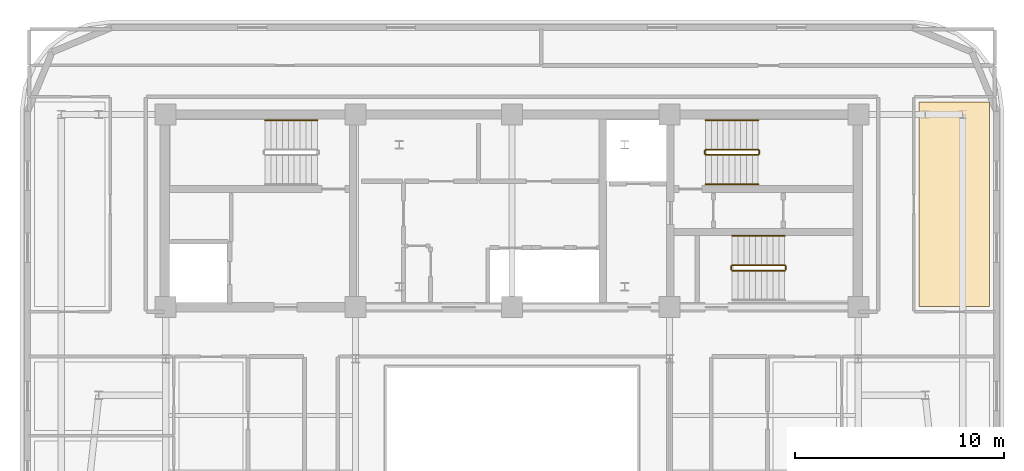
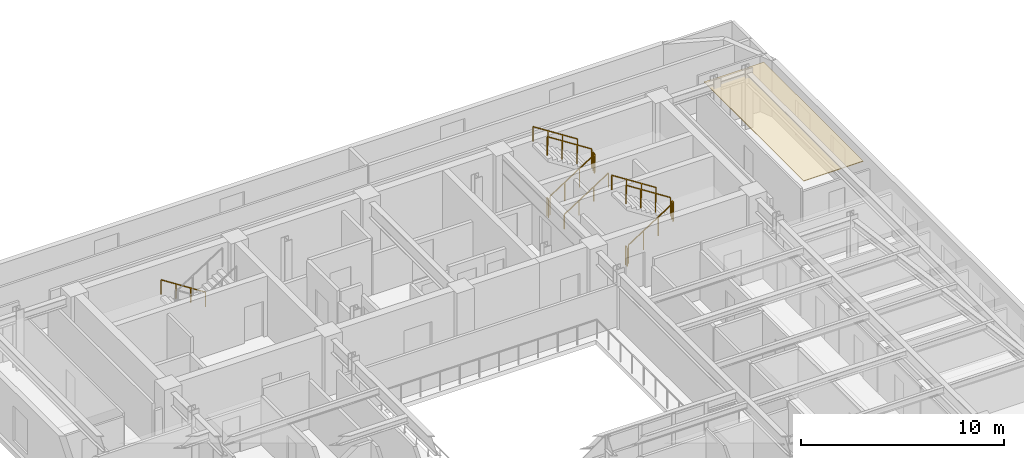
# One storey, part 14 of 14: 12 railings, 1 covering.
"""IFC4 building model written with IfcOpenShell, lengths in metres."""

from ifc_helpers import new_model, si_unit, direction, frame, origin, origin_2d, place, context, subcontext, project, spatial, polyline, rectangle, outline, extrude, material, layer, layer_set, type_object, element, save


model = new_model("IFC4")

# Units and contexts
model_context = context("Model", 3, precision=1e-05, world=origin(), true_north=direction((0.0, 1.0)))
body_context = subcontext(model_context, "Body", "Model", "MODEL_VIEW")
ifc_project = project(units=[si_unit("LENGTHUNIT", "METRE"), si_unit("AREAUNIT", "SQUARE_METRE"), si_unit("VOLUMEUNIT", "CUBIC_METRE"), si_unit("PLANEANGLEUNIT", "RADIAN"), si_unit("MASSUNIT", "GRAM", prefix="KILO")], contexts=[model_context])

# Site, building, storey
site_placement = place(None, origin())
site = spatial("IfcSite", under=ifc_project, at=site_placement, CompositionType="ELEMENT")
building_placement = place(site_placement, origin())
building = spatial("IfcBuilding", under=site, at=building_placement, Name="Zarnavel Station Tower", CompositionType="ELEMENT")
storey_placement = place(building_placement, frame((0.0, 0.0, 229.199951171875)))
storey = spatial("IfcBuildingStorey", under=building, at=storey_placement, Name="L62", CompositionType="ELEMENT", Elevation=229.199951171875)

# Covering
ifc_material_1 = material(Name="Perforated Gypsum and Mineral-Wool Acoustic Ceiling", Category="concrete")
ifc_layer = layer(ifc_material_1, 0.0400390625)
ifc_layer_set = layer_set([ifc_layer], Name="COV_CEIL_ACOUSTIC")
covering_type = type_object("IfcCoveringType", Name="COV_CEIL_ACOUSTIC", PredefinedType="CEILING", material=ifc_layer_set)
covering_placement = place(storey_placement, frame((0.0, 0.0, 3.02001953125)))
element("IfcCovering", 1, at=covering_placement, inside=storey, type_object=covering_type, Name="L62 FNE Acoustic Ceiling", PredefinedType="CEILING", context=body_context, shape_type="SweptSolid", body=[
    extrude(outline(polyline([(48.300048828125, 27.85009765625), (51.68994140625, 27.85009765625), (51.68994140625, 37.64990234375), (48.300048828125, 37.64990234375), (48.300048828125, 27.85009765625)])), origin(), (0.0, 0.0, 1.0), 0.0400390625),
])

# Railings
ifc_material_2 = material(Name="Painted Steel S355J2 Balustrade", Category="steel")
railing_type_1 = type_object("IfcRailingType", Name="GR_INT_1150", PredefinedType="GUARDRAIL", material=ifc_material_2)
railing_1_placement = place(storey_placement, frame((38.080078125, 35.110107421875, 0.179931640625)))
element("IfcRailing", 2, at=railing_1_placement, inside=storey, type_object=railing_type_1, Name="L62 ST2 stair guard 1", PredefinedType="GUARDRAIL", context=body_context, shape_type="SweptSolid", body=[
    extrude(rectangle(XDim=0.048095703125, YDim=0.048095703125, at=origin_2d()), frame((0.001708984375, 0.0, 1.126953125), z_axis=(0.841162588446, 0.0, 0.540782303519), x_axis=(0.0, 1.0, 0.0)), (0.0, 0.0, 1.0), 2.991943359375),
    extrude(rectangle(XDim=0.0419921875, YDim=0.0419921875, at=origin_2d()), origin(), (0.0, 0.0, 1.0), 1.101806640625),
    extrude(rectangle(XDim=0.0419921875, YDim=0.0419921875, at=origin_2d()), frame((0.840087890625, 0.0, 0.5400390625)), (0.0, 0.0, 1.0), 1.101806640625),
    extrude(rectangle(XDim=0.0419921875, YDim=0.0419921875, at=origin_2d()), frame((1.679931640625, 0.0, 1.080078125)), (0.0, 0.0, 1.0), 1.101806640625),
    extrude(rectangle(XDim=0.0419921875, YDim=0.0419921875, at=origin_2d()), frame((2.52001953125, 0.0, 1.6201171875)), (0.0, 0.0, 1.0), 1.101806640625),
])
railing_2_placement = place(storey_placement, frame((40.64990234375, 35.159912109375, 1.800048828125)))
element("IfcRailing", 3, at=railing_2_placement, inside=storey, type_object=railing_type_1, Name="L62 ST2 stair guard 2", PredefinedType="GUARDRAIL", context=body_context, shape_type="SweptSolid", body=[
    extrude(rectangle(XDim=0.048095703125, YDim=0.048095703125, at=origin_2d()), frame((0.0, 0.001953125, 1.1259765625), z_axis=(0.0, 1.0, 0.0), x_axis=(-1.0, 0.0, 0.0)), (0.0, 0.0, 1.0), 0.15625),
    extrude(rectangle(XDim=0.0419921875, YDim=0.0419921875, at=origin_2d()), origin(), (0.0, 0.0, 1.0), 1.101806640625),
    extrude(rectangle(XDim=0.0419921875, YDim=0.0419921875, at=origin_2d()), frame((0.0, 0.16015625, 0.0)), (0.0, 0.0, 1.0), 1.101806640625),
])
railing_3_placement = place(storey_placement, frame((40.60009765625, 35.3701171875, 1.97998046875)))
element("IfcRailing", 4, at=railing_3_placement, inside=storey, type_object=railing_type_1, Name="L62 ST2 stair guard 3", PredefinedType="GUARDRAIL", context=body_context, shape_type="SweptSolid", body=[
    extrude(rectangle(XDim=0.048095703125, YDim=0.048095703125, at=origin_2d()), frame((-0.001708984375, 0.0, 1.126953125), z_axis=(-0.841162588446, 0.0, 0.540782303519), x_axis=(0.0, -1.0, 0.0)), (0.0, 0.0, 1.0), 2.991943359375),
    extrude(rectangle(XDim=0.0419921875, YDim=0.0419921875, at=origin_2d()), origin(), (0.0, 0.0, 1.0), 1.101806640625),
    extrude(rectangle(XDim=0.0419921875, YDim=0.0419921875, at=origin_2d()), frame((-0.840087890625, 0.0, 0.5400390625)), (0.0, 0.0, 1.0), 1.101806640625),
    extrude(rectangle(XDim=0.0419921875, YDim=0.0419921875, at=origin_2d()), frame((-1.679931640625, 0.0, 1.080078125)), (0.0, 0.0, 1.0), 1.101806640625),
    extrude(rectangle(XDim=0.0419921875, YDim=0.0419921875, at=origin_2d()), frame((-2.52001953125, 0.0, 1.6201171875)), (0.0, 0.0, 1.0), 1.101806640625),
])
railing_4_placement = place(storey_placement, frame((38.030029296875, 35.159912109375, 0.0)))
element("IfcRailing", 5, at=railing_4_placement, inside=storey, type_object=railing_type_1, Name="L62 ST2 stair guard 4", PredefinedType="GUARDRAIL", context=body_context, shape_type="SweptSolid", body=[
    extrude(rectangle(XDim=0.048095703125, YDim=0.048095703125, at=origin_2d()), frame((0.0, 0.001953125, 1.1259765625), z_axis=(0.0, 1.0, 0.0), x_axis=(-1.0, 0.0, 0.0)), (0.0, 0.0, 1.0), 0.15625),
    extrude(rectangle(XDim=0.0419921875, YDim=0.0419921875, at=origin_2d()), origin(), (0.0, 0.0, 1.0), 1.101806640625),
    extrude(rectangle(XDim=0.0419921875, YDim=0.0419921875, at=origin_2d()), frame((0.0, 0.16015625, 0.0)), (0.0, 0.0, 1.0), 1.101806640625),
])
railing_5_placement = place(storey_placement, frame((39.35009765625, 29.570068359375, 0.179931640625)))
element("IfcRailing", 6, at=railing_5_placement, inside=storey, type_object=railing_type_1, Name="L62 ST3 stair guard 1", PredefinedType="GUARDRAIL", context=body_context, shape_type="SweptSolid", body=[
    extrude(rectangle(XDim=0.048095703125, YDim=0.048095703125, at=origin_2d()), frame((0.001708984375, 0.0, 1.126953125), z_axis=(0.841162588446, 0.0, 0.540782303519), x_axis=(0.0, 1.0, 0.0)), (0.0, 0.0, 1.0), 2.991943359375),
    extrude(rectangle(XDim=0.0419921875, YDim=0.0419921875, at=origin_2d()), origin(), (0.0, 0.0, 1.0), 1.101806640625),
    extrude(rectangle(XDim=0.0419921875, YDim=0.0419921875, at=origin_2d()), frame((0.840087890625, 0.0, 0.5400390625)), (0.0, 0.0, 1.0), 1.101806640625),
    extrude(rectangle(XDim=0.0419921875, YDim=0.0419921875, at=origin_2d()), frame((1.679931640625, 0.0, 1.080078125)), (0.0, 0.0, 1.0), 1.101806640625),
    extrude(rectangle(XDim=0.0419921875, YDim=0.0419921875, at=origin_2d()), frame((2.52001953125, 0.0, 1.6201171875)), (0.0, 0.0, 1.0), 1.101806640625),
])
railing_6_placement = place(storey_placement, frame((41.919921875, 29.6201171875, 1.800048828125)))
element("IfcRailing", 7, at=railing_6_placement, inside=storey, type_object=railing_type_1, Name="L62 ST3 stair guard 2", PredefinedType="GUARDRAIL", context=body_context, shape_type="SweptSolid", body=[
    extrude(rectangle(XDim=0.048095703125, YDim=0.048095703125, at=origin_2d()), frame((0.0, 0.001953125, 1.1259765625), z_axis=(0.0, 1.0, 0.0), x_axis=(-1.0, 0.0, 0.0)), (0.0, 0.0, 1.0), 0.156005859375),
    extrude(rectangle(XDim=0.0419921875, YDim=0.0419921875, at=origin_2d()), origin(), (0.0, 0.0, 1.0), 1.101806640625),
    extrude(rectangle(XDim=0.0419921875, YDim=0.0419921875, at=origin_2d()), frame((0.0, 0.159912109375, 0.0)), (0.0, 0.0, 1.0), 1.101806640625),
])
railing_7_placement = place(storey_placement, frame((41.8701171875, 29.830078125, 1.97998046875)))
element("IfcRailing", 8, at=railing_7_placement, inside=storey, type_object=railing_type_1, Name="L62 ST3 stair guard 3", PredefinedType="GUARDRAIL", context=body_context, shape_type="SweptSolid", body=[
    extrude(rectangle(XDim=0.048095703125, YDim=0.048095703125, at=origin_2d()), frame((-0.001708984375, 0.0, 1.126953125), z_axis=(-0.841162588446, 0.0, 0.540782303519), x_axis=(0.0, -1.0, 0.0)), (0.0, 0.0, 1.0), 2.991943359375),
    extrude(rectangle(XDim=0.0419921875, YDim=0.0419921875, at=origin_2d()), origin(), (0.0, 0.0, 1.0), 1.101806640625),
    extrude(rectangle(XDim=0.0419921875, YDim=0.0419921875, at=origin_2d()), frame((-0.840087890625, 0.0, 0.5400390625)), (0.0, 0.0, 1.0), 1.101806640625),
    extrude(rectangle(XDim=0.0419921875, YDim=0.0419921875, at=origin_2d()), frame((-1.679931640625, 0.0, 1.080078125)), (0.0, 0.0, 1.0), 1.101806640625),
    extrude(rectangle(XDim=0.0419921875, YDim=0.0419921875, at=origin_2d()), frame((-2.52001953125, 0.0, 1.6201171875)), (0.0, 0.0, 1.0), 1.101806640625),
])
railing_8_placement = place(storey_placement, frame((39.300048828125, 29.6201171875, 0.0)))
element("IfcRailing", 9, at=railing_8_placement, inside=storey, type_object=railing_type_1, Name="L62 ST3 stair guard 4", PredefinedType="GUARDRAIL", context=body_context, shape_type="SweptSolid", body=[
    extrude(rectangle(XDim=0.048095703125, YDim=0.048095703125, at=origin_2d()), frame((0.0, 0.001953125, 1.1259765625), z_axis=(0.0, 1.0, 0.0), x_axis=(-1.0, 0.0, 0.0)), (0.0, 0.0, 1.0), 0.156005859375),
    extrude(rectangle(XDim=0.0419921875, YDim=0.0419921875, at=origin_2d()), origin(), (0.0, 0.0, 1.0), 1.101806640625),
    extrude(rectangle(XDim=0.0419921875, YDim=0.0419921875, at=origin_2d()), frame((0.0, 0.159912109375, 0.0)), (0.0, 0.0, 1.0), 1.101806640625),
])
ifc_material_3 = material(Name="Brushed Stainless Steel S355J2 Handrail", Category="steel")
railing_type_2 = type_object("IfcRailingType", Name="HR_STAIR_900", PredefinedType="HANDRAIL", material=ifc_material_3)
railing_9_placement = place(storey_placement, frame((19.47998046875, 36.77001953125, 0.179931640625)))
element("IfcRailing", 10, at=railing_9_placement, inside=storey, type_object=railing_type_2, Name="L62 ST1 stair handrail 1", PredefinedType="HANDRAIL", context=body_context, shape_type="SweptSolid", body=[
    extrude(rectangle(XDim=0.048095703125, YDim=0.048095703125, at=origin_2d()), frame((-0.001708984375, 0.0, 0.876953125), z_axis=(-0.841162588446, 0.0, 0.540782303519), x_axis=(0.0, -1.0, 0.0)), (0.0, 0.0, 1.0), 2.991943359375),
    extrude(rectangle(XDim=0.0419921875, YDim=0.0419921875, at=origin_2d()), origin(), (0.0, 0.0, 1.0), 0.851806640625),
    extrude(rectangle(XDim=0.0419921875, YDim=0.0419921875, at=origin_2d()), frame((-0.840087890625, 0.0, 0.5400390625)), (0.0, 0.0, 1.0), 0.851806640625),
    extrude(rectangle(XDim=0.0419921875, YDim=0.0419921875, at=origin_2d()), frame((-1.679931640625, 0.0, 1.080078125)), (0.0, 0.0, 1.0), 0.851806640625),
    extrude(rectangle(XDim=0.0419921875, YDim=0.0419921875, at=origin_2d()), frame((-2.52001953125, 0.0, 1.6201171875)), (0.0, 0.0, 1.0), 0.851806640625),
])
railing_10_placement = place(storey_placement, frame((38.080078125, 33.7099609375, 0.179931640625)))
element("IfcRailing", 11, at=railing_10_placement, inside=storey, type_object=railing_type_2, Name="L62 ST2 stair handrail 1", PredefinedType="HANDRAIL", context=body_context, shape_type="SweptSolid", body=[
    extrude(rectangle(XDim=0.048095703125, YDim=0.048095703125, at=origin_2d()), frame((0.001708984375, 0.0, 0.876953125), z_axis=(0.841162588446, 0.0, 0.540782303519), x_axis=(0.0, 1.0, 0.0)), (0.0, 0.0, 1.0), 2.991943359375),
    extrude(rectangle(XDim=0.0419921875, YDim=0.0419921875, at=origin_2d()), origin(), (0.0, 0.0, 1.0), 0.851806640625),
    extrude(rectangle(XDim=0.0419921875, YDim=0.0419921875, at=origin_2d()), frame((0.840087890625, 0.0, 0.5400390625)), (0.0, 0.0, 1.0), 0.851806640625),
    extrude(rectangle(XDim=0.0419921875, YDim=0.0419921875, at=origin_2d()), frame((1.679931640625, 0.0, 1.080078125)), (0.0, 0.0, 1.0), 0.851806640625),
    extrude(rectangle(XDim=0.0419921875, YDim=0.0419921875, at=origin_2d()), frame((2.52001953125, 0.0, 1.6201171875)), (0.0, 0.0, 1.0), 0.851806640625),
])
for number, where, name in (
    (12, (40.60009765625, 36.77001953125, 1.97998046875), "L62 ST2 stair handrail 2"),
    (13, (41.8701171875, 31.22998046875, 1.97998046875), "L62 ST3 stair handrail 2"),
):
    element("IfcRailing", number, at=place(storey_placement, frame(where)), inside=storey, type_object=railing_type_2, Name=name, PredefinedType="HANDRAIL", context=body_context, shape_type="SweptSolid", body=[
        extrude(rectangle(XDim=0.048095703125, YDim=0.048095703125, at=origin_2d()), frame((-0.001708984375, 0.0, 0.876953125), z_axis=(-0.841162588446, 0.0, 0.540782303519), x_axis=(0.0, -1.0, 0.0)), (0.0, 0.0, 1.0), 2.991943359375),
        extrude(rectangle(XDim=0.0419921875, YDim=0.0419921875, at=origin_2d()), origin(), (0.0, 0.0, 1.0), 0.851806640625),
        extrude(rectangle(XDim=0.0419921875, YDim=0.0419921875, at=origin_2d()), frame((-0.840087890625, 0.0, 0.5400390625)), (0.0, 0.0, 1.0), 0.851806640625),
        extrude(rectangle(XDim=0.0419921875, YDim=0.0419921875, at=origin_2d()), frame((-1.679931640625, 0.0, 1.080078125)), (0.0, 0.0, 1.0), 0.851806640625),
        extrude(rectangle(XDim=0.0419921875, YDim=0.0419921875, at=origin_2d()), frame((-2.52001953125, 0.0, 1.6201171875)), (0.0, 0.0, 1.0), 0.851806640625),
    ])

save(model, "model.ifc")
